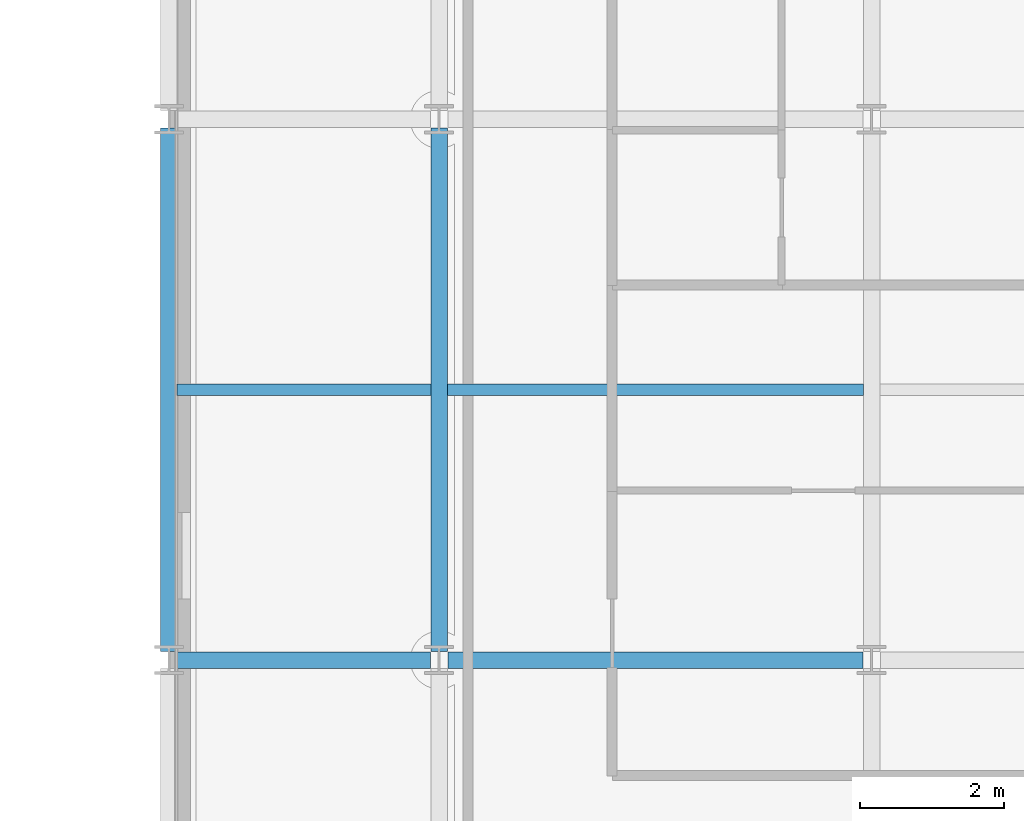
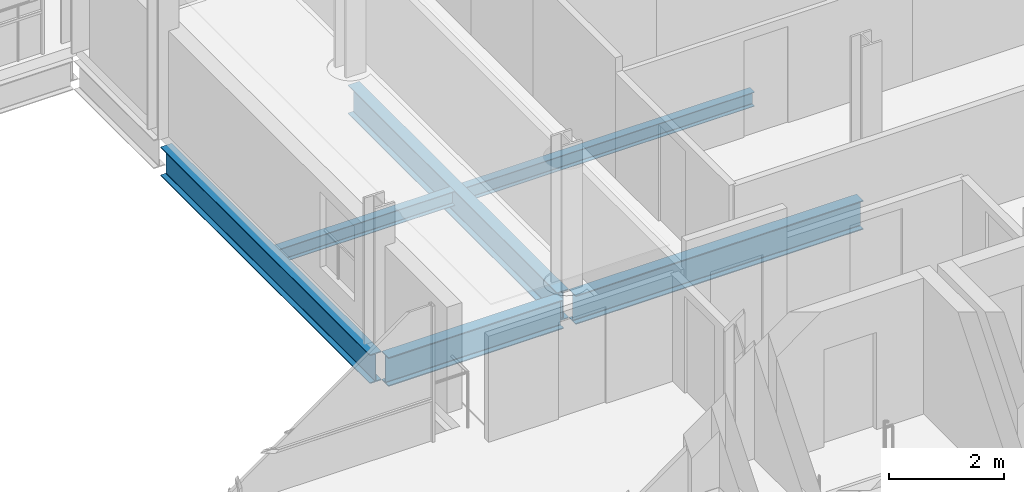
# One storey, part 18 of 41: 6 beams.
"""IFC4 building model written with IfcOpenShell, lengths in metres."""

from ifc_helpers import new_model, si_unit, direction, frame, origin, origin_2d, place, context, subcontext, project, spatial, i_section, extrude, material, material_profile, profile_set, type_object, element, save


model = new_model("IFC4")

# Units and contexts
model_context = context("Model", 3, precision=1e-05, world=origin(), true_north=direction((0.0, 1.0)))
body_context = subcontext(model_context, "Body", "Model", "MODEL_VIEW")
ifc_project = project(units=[si_unit("LENGTHUNIT", "METRE"), si_unit("AREAUNIT", "SQUARE_METRE"), si_unit("VOLUMEUNIT", "CUBIC_METRE"), si_unit("PLANEANGLEUNIT", "RADIAN"), si_unit("MASSUNIT", "GRAM", prefix="KILO")], contexts=[model_context])

# Site, building, storey
site_placement = place(None, origin())
site = spatial("IfcSite", under=ifc_project, at=site_placement, CompositionType="ELEMENT")
building_placement = place(site_placement, origin())
building = spatial("IfcBuilding", under=site, at=building_placement, Name="Brevholm Reach", CompositionType="ELEMENT")
storey_placement = place(building_placement, frame((0.0, 0.0, 144.89990234375)))
storey = spatial("IfcBuildingStorey", under=building, at=storey_placement, Name="L43", CompositionType="ELEMENT", Elevation=144.89990234375)

# Beams
ifc_material_1 = material(Name="Structural Steel S355J2", Category="steel")
ifc_material_profile_1 = material_profile(ifc_material_1, i_section(OverallWidth=0.1650390625, OverallDepth=0.303466796875, WebThickness=0.006103515625, FlangeThickness=0.01025390625, FilletRadius=0.0087890625, at=origin_2d()), Name="UKB 305x165x40")
ifc_profile_set_1 = profile_set([ifc_material_profile_1], Name="Structural Steel S355J2")
beam_type_1 = type_object("IfcBeamType", Name="BM-B305", PredefinedType="BEAM", material=ifc_profile_set_1)
beam_1_placement = place(storey_placement, frame((38.364501953125, 19.75, -0.37158203125), z_axis=(1.0, 0.0, 0.0), x_axis=(0.0, 1.0, 0.0)))
element("IfcBeam", 1, at=beam_1_placement, inside=storey, type_object=beam_type_1, Name="L43 Composite Secondary Floor Beam", PredefinedType="BEAM", context=body_context, shape_type="SweptSolid", body=[
    extrude(i_section(OverallWidth=0.1650390625, OverallDepth=0.303466796875, WebThickness=0.006103515625, FlangeThickness=0.01025390625, FilletRadius=0.0087890625, at=origin_2d()), origin(), (0.0, 0.0, 1.0), 3.52099609375),
])
beam_2_placement = place(storey_placement, frame((42.114501953125, 19.75, -0.37158203125), z_axis=(1.0, 0.0, 0.0), x_axis=(0.0, 1.0, 0.0)))
element("IfcBeam", 2, at=beam_2_placement, inside=storey, type_object=beam_type_1, Name="L43 Composite Secondary Floor Beam", PredefinedType="BEAM", context=body_context, shape_type="SweptSolid", body=[
    extrude(i_section(OverallWidth=0.1650390625, OverallDepth=0.303466796875, WebThickness=0.006103515625, FlangeThickness=0.01025390625, FilletRadius=0.0087890625, at=origin_2d()), origin(), (0.0, 0.0, 1.0), 5.77099609375),
])
ifc_material_2 = material(Name="Structural Steel S355J2", Category="steel")
ifc_material_profile_2 = material_profile(ifc_material_2, i_section(OverallWidth=0.22900390625, OverallDepth=0.6123046875, WebThickness=0.011962890625, FlangeThickness=0.01953125, FilletRadius=0.0126953125, at=origin_2d()), Name="UKB 610x229x125")
ifc_profile_set_2 = profile_set([ifc_material_profile_2], Name="Structural Steel S355J2")
beam_type_2 = type_object("IfcBeamType", Name="BM-SP610", PredefinedType="SPANDREL", material=ifc_profile_set_2)
beam_3_placement = place(storey_placement, frame((38.3701171875, 16.0, -0.526123046875), z_axis=(1.0, 0.0, 0.0), x_axis=(0.0, 1.0, 0.0)))
element("IfcBeam", 3, at=beam_3_placement, inside=storey, type_object=beam_type_2, Name="L43 SP-01 Framing Beam", PredefinedType="SPANDREL", context=body_context, shape_type="SweptSolid", body=[
    extrude(i_section(OverallWidth=0.22900390625, OverallDepth=0.6123046875, WebThickness=0.011962890625, FlangeThickness=0.01953125, FilletRadius=0.0126953125, at=origin_2d()), origin(), (0.0, 0.0, 1.0), 3.509765625),
])
beam_4_placement = place(storey_placement, frame((42.1201171875, 16.0, -0.526123046875), z_axis=(1.0, 0.0, 0.0), x_axis=(0.0, 1.0, 0.0)))
element("IfcBeam", 4, at=beam_4_placement, inside=storey, type_object=beam_type_2, Name="L43 SP-01 Framing Beam", PredefinedType="SPANDREL", context=body_context, shape_type="SweptSolid", body=[
    extrude(i_section(OverallWidth=0.22900390625, OverallDepth=0.6123046875, WebThickness=0.011962890625, FlangeThickness=0.01953125, FilletRadius=0.0126953125, at=origin_2d()), origin(), (0.0, 0.0, 1.0), 5.759765625),
])
for number, where, z_axis, x_axis, name in (
    (5, (38.25, 16.1201171875, -0.526123046875), (0.0, 1.0, 0.0), (-1.0, 0.0, 0.0), "L43 SP-01 Framing Beam"),
    (6, (42.0, 16.1201171875, -0.526123046875), (0.0, 1.0, 0.0), (-1.0, 0.0, 0.0), "L43 SP-01 Framing Beam"),
):
    element("IfcBeam", number, at=place(storey_placement, frame(where, z_axis=z_axis, x_axis=x_axis)), inside=storey, type_object=beam_type_2, Name=name, PredefinedType="SPANDREL", context=body_context, shape_type="SweptSolid", body=[
        extrude(i_section(OverallWidth=0.22900390625, OverallDepth=0.6123046875, WebThickness=0.011962890625, FlangeThickness=0.01953125, FilletRadius=0.0126953125, at=origin_2d()), origin(), (0.0, 0.0, 1.0), 7.259765625),
    ])

save(model, "model.ifc")
